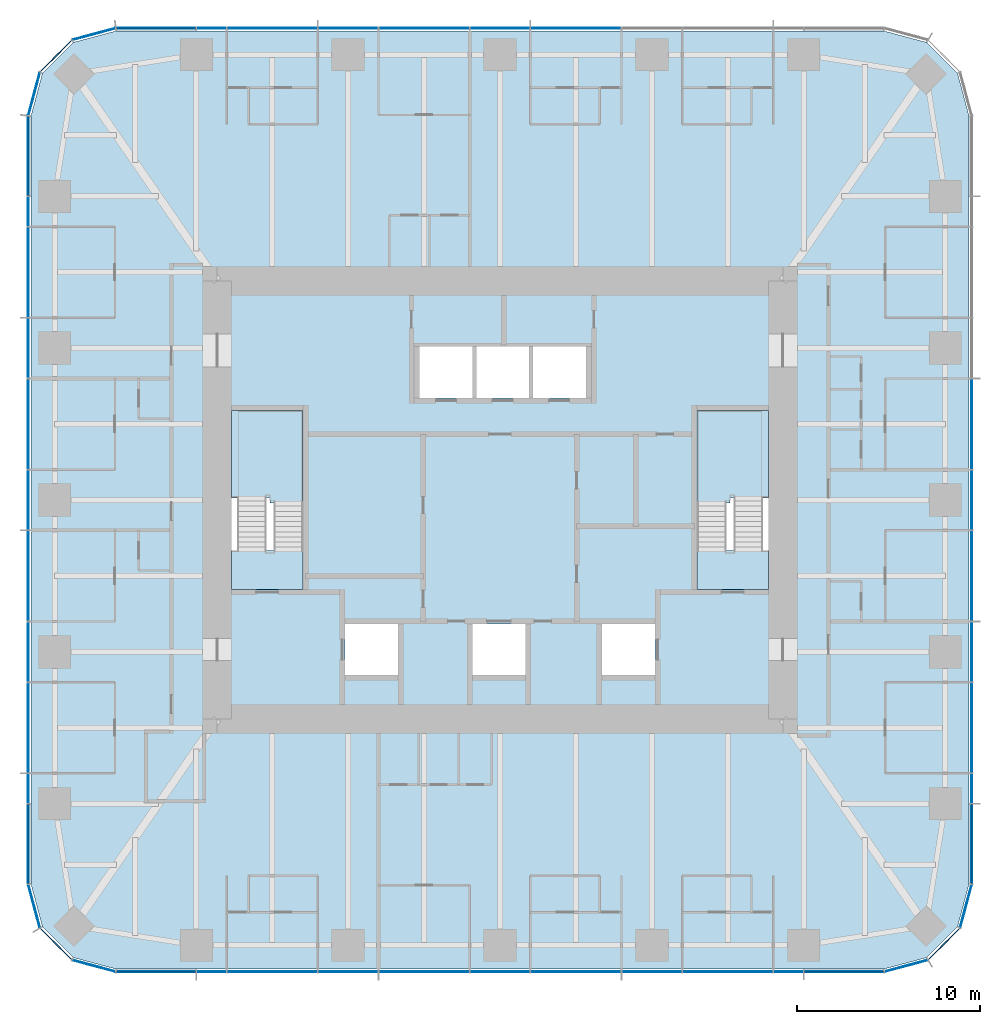
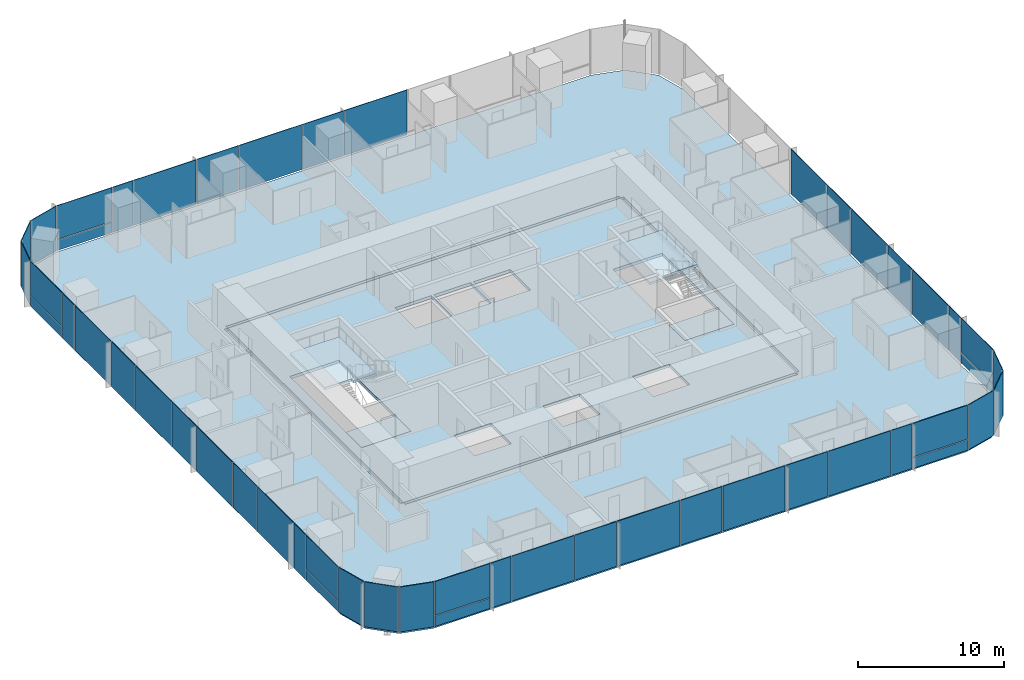
# One storey, part 7 of 13: 51 plates, 6 slabs, 9 elements without a shape of their own.
"""IFC4 building model written with IfcOpenShell, lengths in metres."""

from ifc_helpers import new_model, si_unit, direction, frame, origin, origin_2d, place, context, subcontext, project, spatial, polyline, rectangle, outline, extrude, material, layer, layer_set, type_object, element, aggregate, save


model = new_model("IFC4")

# Units and contexts
model_context = context("Model", 3, precision=1e-05, world=origin(), true_north=direction((0.0, 1.0)))
body_context = subcontext(model_context, "Body", "Model", "MODEL_VIEW")
ifc_project = project(units=[si_unit("LENGTHUNIT", "METRE"), si_unit("AREAUNIT", "SQUARE_METRE"), si_unit("VOLUMEUNIT", "CUBIC_METRE"), si_unit("PLANEANGLEUNIT", "RADIAN"), si_unit("MASSUNIT", "GRAM", prefix="KILO")], contexts=[model_context])

# Site, building, storey
site_placement = place(None, origin())
site = spatial("IfcSite", under=ifc_project, at=site_placement, CompositionType="ELEMENT")
building_placement = place(site_placement, origin())
building = spatial("IfcBuilding", under=site, at=building_placement, Name="Khuree Lantern Residences", CompositionType="ELEMENT")
storey_placement = place(building_placement, frame((0.0, 0.0, 259.5)))
storey = spatial("IfcBuildingStorey", under=building, at=storey_placement, Name="L65", CompositionType="ELEMENT", Elevation=259.5)

# Slab
ifc_material_1 = material(Name="Concrete C35/45", Category="concrete")
ifc_layer_1 = layer(ifc_material_1, 0.25)
ifc_layer_set_1 = layer_set([ifc_layer_1], Name="CFL250 CORE FLOOR SLAB 250")
slab_type_1 = type_object("IfcSlabType", Name="CFL250 CORE FLOOR SLAB 250", PredefinedType="FLOOR", material=ifc_layer_set_1)
slab_1_placement = place(storey_placement, frame((0.0, 0.0, -0.25)))
element("IfcSlab", 1, at=slab_1_placement, inside=storey, type_object=slab_type_1, Name="Core floor L65", PredefinedType="FLOOR", context=body_context, shape_type="SweptSolid", body=[
    extrude(outline(polyline([(-15.5, -12.0), (-15.5, 12.0), (15.5, 12.0), (15.5, -12.0), (-15.5, -12.0)]), holes=[polyline([(10.800048828125, 4.89990234375), (10.800048828125, -4.89990234375), (14.699951171875, -4.89990234375), (14.699951171875, 4.89990234375), (10.800048828125, 4.89990234375)]), polyline([(5.60009765625, -6.800048828125), (5.60009765625, -9.60009765625), (8.5, -9.60009765625), (8.5, -6.800048828125), (5.60009765625, -6.800048828125)]), polyline([(1.800048828125, 8.39990234375), (1.800048828125, 5.60009765625), (4.699951171875, 5.60009765625), (4.699951171875, 8.39990234375), (1.800048828125, 8.39990234375)]), polyline([(-1.300048828125, 8.39990234375), (-1.300048828125, 5.60009765625), (1.60009765625, 5.60009765625), (1.60009765625, 8.39990234375), (-1.300048828125, 8.39990234375)]), polyline([(-1.5, -6.800048828125), (-1.5, -9.60009765625), (1.39990234375, -9.60009765625), (1.39990234375, -6.800048828125), (-1.5, -6.800048828125)]), polyline([(-4.39990234375, 8.39990234375), (-4.39990234375, 5.60009765625), (-1.5, 5.60009765625), (-1.5, 8.39990234375), (-4.39990234375, 8.39990234375)]), polyline([(-8.5, -6.800048828125), (-8.5, -9.60009765625), (-5.60009765625, -9.60009765625), (-5.60009765625, -6.800048828125), (-8.5, -6.800048828125)]), polyline([(-14.699951171875, 4.89990234375), (-14.699951171875, -4.89990234375), (-10.800048828125, -4.89990234375), (-10.800048828125, 4.89990234375), (-14.699951171875, 4.89990234375)])]), origin(), (0.0, 0.0, 1.0), 0.25),
])

# Curtain wall, plates
ifc_material_2 = material(Name="Bronze anodised aluminium", Category="aluminium")
curtain_wall_type_1 = type_object("IfcCurtainWallType", Name="CW-T2 TOWER CORNER CURTAIN WALL", PredefinedType="USERDEFINED", material=ifc_material_2)
curtain_wall_1_placement = place(storey_placement, origin())
curtain_wall_1 = element("IfcCurtainWall", 2, at=curtain_wall_1_placement, inside=storey, type_object=curtain_wall_type_1, Name="L65 SOUTH-EAST CORNER CURTAIN WALL", ObjectType="Faceted corner curtain wall", PredefinedType="USERDEFINED")
ifc_material_3 = material(Name="Bronze tinted triple glazing", Category="glass")
ifc_layer_2 = layer(ifc_material_3, 0.048095703125)
ifc_layer_set_2 = layer_set([ifc_layer_2], Name="FACET PANEL P4")
plate_type_1 = type_object("IfcPlateType", Name="FACET PANEL P4", PredefinedType="CURTAIN_PANEL", material=ifc_layer_set_2)
plate_1_placement = place(storey_placement, frame((22.248046875, -25.529052734375, 0.0), z_axis=(0.0, 0.0, 1.0), x_axis=(0.965925832509, 0.258819021888, 0.0)))
plate_1 = element("IfcPlate", 3, at=plate_1_placement, type_object=plate_type_1, Name="L65 SOUTH-EAST CORNER PANEL 1.1", PredefinedType="CURTAIN_PANEL", context=body_context, shape_type="SweptSolid", body=[
    extrude(rectangle(XDim=2.40869140625, YDim=0.048095703125, at=origin_2d()), origin(), (0.0, 0.0, 1.0), 3.75),
])
plate_2_placement = place(storey_placement, frame((24.328369140625, -24.328369140625, 0.0), z_axis=(0.0, 0.0, 1.0), x_axis=(0.707106781187, 0.707106781187, 0.0)))
plate_2 = element("IfcPlate", 4, at=plate_2_placement, type_object=plate_type_1, Name="L65 SOUTH-EAST CORNER PANEL 2.1", PredefinedType="CURTAIN_PANEL", context=body_context, shape_type="SweptSolid", body=[
    extrude(rectangle(XDim=2.404541015625, YDim=0.048095703125, at=origin_2d()), origin(), (0.0, 0.0, 1.0), 3.75),
])
plate_3_placement = place(storey_placement, frame((25.529052734375, -22.248046875, 0.0), z_axis=(0.0, 0.0, 1.0), x_axis=(0.258819021888, 0.965925832509, 0.0)))
plate_3 = element("IfcPlate", 5, at=plate_3_placement, type_object=plate_type_1, Name="L65 SOUTH-EAST CORNER PANEL 3.1", PredefinedType="CURTAIN_PANEL", context=body_context, shape_type="SweptSolid", body=[
    extrude(rectangle(XDim=2.40869140625, YDim=0.048095703125, at=origin_2d()), origin(), (0.0, 0.0, 1.0), 3.75),
])
aggregate(curtain_wall_1, [plate_1, plate_2, plate_3])

curtain_wall_2_placement = place(storey_placement, origin())
curtain_wall_2 = element("IfcCurtainWall", 6, at=curtain_wall_2_placement, inside=storey, type_object=curtain_wall_type_1, Name="L65 NORTH-WEST CORNER CURTAIN WALL", ObjectType="Faceted corner curtain wall", PredefinedType="USERDEFINED")
plate_4_placement = place(storey_placement, frame((-22.248046875, 25.529052734375, 0.0), z_axis=(0.0, 0.0, 1.0), x_axis=(-0.965925832509, -0.258819021888, 0.0)))
plate_4 = element("IfcPlate", 7, at=plate_4_placement, type_object=plate_type_1, Name="L65 NORTH-WEST CORNER PANEL 29.1", PredefinedType="CURTAIN_PANEL", context=body_context, shape_type="SweptSolid", body=[
    extrude(rectangle(XDim=2.40869140625, YDim=0.048095703125, at=origin_2d()), origin(), (0.0, 0.0, 1.0), 3.75),
])
plate_5_placement = place(storey_placement, frame((-24.328369140625, 24.328369140625, 0.0), z_axis=(0.0, 0.0, 1.0), x_axis=(-0.707106781187, -0.707106781187, 0.0)))
plate_5 = element("IfcPlate", 8, at=plate_5_placement, type_object=plate_type_1, Name="L65 NORTH-WEST CORNER PANEL 30.1", PredefinedType="CURTAIN_PANEL", context=body_context, shape_type="SweptSolid", body=[
    extrude(rectangle(XDim=2.404541015625, YDim=0.048095703125, at=origin_2d()), origin(), (0.0, 0.0, 1.0), 3.75),
])
plate_6_placement = place(storey_placement, frame((-25.529052734375, 22.248046875, 0.0), z_axis=(0.0, 0.0, 1.0), x_axis=(-0.258819021888, -0.965925832509, 0.0)))
plate_6 = element("IfcPlate", 9, at=plate_6_placement, type_object=plate_type_1, Name="L65 NORTH-WEST CORNER PANEL 31.1", PredefinedType="CURTAIN_PANEL", context=body_context, shape_type="SweptSolid", body=[
    extrude(rectangle(XDim=2.40869140625, YDim=0.048095703125, at=origin_2d()), origin(), (0.0, 0.0, 1.0), 3.75),
])
aggregate(curtain_wall_2, [plate_4, plate_5, plate_6])

curtain_wall_3_placement = place(storey_placement, origin())
curtain_wall_3 = element("IfcCurtainWall", 10, at=curtain_wall_3_placement, inside=storey, type_object=curtain_wall_type_1, Name="L65 SOUTH-WEST CORNER CURTAIN WALL", ObjectType="Faceted corner curtain wall", PredefinedType="USERDEFINED")
plate_7_placement = place(storey_placement, frame((-25.529052734375, -22.248046875, 0.0), z_axis=(0.0, 0.0, 1.0), x_axis=(0.258819021888, -0.965925832509, 0.0)))
plate_7 = element("IfcPlate", 11, at=plate_7_placement, type_object=plate_type_1, Name="L65 SOUTH-WEST CORNER PANEL 43.1", PredefinedType="CURTAIN_PANEL", context=body_context, shape_type="SweptSolid", body=[
    extrude(rectangle(XDim=2.40869140625, YDim=0.048095703125, at=origin_2d()), origin(), (0.0, 0.0, 1.0), 3.75),
])
plate_8_placement = place(storey_placement, frame((-24.328369140625, -24.328369140625, 0.0), z_axis=(0.0, 0.0, 1.0), x_axis=(0.707106781187, -0.707106781187, 0.0)))
plate_8 = element("IfcPlate", 12, at=plate_8_placement, type_object=plate_type_1, Name="L65 SOUTH-WEST CORNER PANEL 44.1", PredefinedType="CURTAIN_PANEL", context=body_context, shape_type="SweptSolid", body=[
    extrude(rectangle(XDim=2.404541015625, YDim=0.048095703125, at=origin_2d()), origin(), (0.0, 0.0, 1.0), 3.75),
])
plate_9_placement = place(storey_placement, frame((-22.248046875, -25.529052734375, 0.0), z_axis=(0.0, 0.0, 1.0), x_axis=(0.965925832509, -0.258819021888, 0.0)))
plate_9 = element("IfcPlate", 13, at=plate_9_placement, type_object=plate_type_1, Name="L65 SOUTH-WEST CORNER PANEL 45.1", PredefinedType="CURTAIN_PANEL", context=body_context, shape_type="SweptSolid", body=[
    extrude(rectangle(XDim=2.40869140625, YDim=0.048095703125, at=origin_2d()), origin(), (0.0, 0.0, 1.0), 3.75),
])
aggregate(curtain_wall_3, [plate_7, plate_8, plate_9])

curtain_wall_type_2 = type_object("IfcCurtainWallType", Name="CW-T1 TOWER FACE CURTAIN WALL", PredefinedType="USERDEFINED", material=ifc_material_2)
curtain_wall_4_placement = place(storey_placement, origin())
curtain_wall_4 = element("IfcCurtainWall", 14, at=curtain_wall_4_placement, inside=storey, type_object=curtain_wall_type_2, Name="L65 EAST FACE CURTAIN WALL", ObjectType="Stick-built curtain wall", PredefinedType="USERDEFINED")
ifc_material_4 = material(Name="Bronze tinted triple glazing with a ceramic-fritted spandrel band", Category="glass")
ifc_layer_3 = layer(ifc_material_4, 0.048095703125)
ifc_layer_set_3 = layer_set([ifc_layer_3], Name="FIXED LIGHT PANEL P11")
plate_type_2 = type_object("IfcPlateType", Name="FIXED LIGHT PANEL P11", PredefinedType="CURTAIN_PANEL", material=ifc_layer_set_3)
plate_10_placement = place(storey_placement, frame((25.85009765625, -12.47998046875, 0.0), z_axis=(0.0, 0.0, 1.0), x_axis=(0.0, 1.0, 0.0)))
plate_10 = element("IfcPlate", 15, at=plate_10_placement, type_object=plate_type_2, Name="L65 EAST FACE PANEL 6.1", PredefinedType="CURTAIN_PANEL", context=body_context, shape_type="SweptSolid", body=[
    extrude(rectangle(XDim=4.927001953125, YDim=0.048095703125, at=origin_2d()), origin(), (0.0, 0.0, 1.0), 3.75),
])
plate_11_placement = place(storey_placement, frame((25.85009765625, -4.159912109375, 0.0), z_axis=(0.0, 0.0, 1.0), x_axis=(0.0, 1.0, 0.0)))
plate_11 = element("IfcPlate", 16, at=plate_11_placement, type_object=plate_type_2, Name="L65 EAST FACE PANEL 8.1", PredefinedType="CURTAIN_PANEL", context=body_context, shape_type="SweptSolid", body=[
    extrude(rectangle(XDim=4.927001953125, YDim=0.048095703125, at=origin_2d()), origin(), (0.0, 0.0, 1.0), 3.75),
])
plate_12_placement = place(storey_placement, frame((25.85009765625, 4.159912109375, 0.0), z_axis=(0.0, 0.0, 1.0), x_axis=(0.0, 1.0, 0.0)))
plate_12 = element("IfcPlate", 17, at=plate_12_placement, type_object=plate_type_2, Name="L65 EAST FACE PANEL 10.1", PredefinedType="CURTAIN_PANEL", context=body_context, shape_type="SweptSolid", body=[
    extrude(rectangle(XDim=4.927001953125, YDim=0.048095703125, at=origin_2d()), origin(), (0.0, 0.0, 1.0), 3.75),
])

curtain_wall_5_placement = place(storey_placement, origin())
curtain_wall_5 = element("IfcCurtainWall", 18, at=curtain_wall_5_placement, inside=storey, type_object=curtain_wall_type_2, Name="L65 NORTH FACE CURTAIN WALL", ObjectType="Stick-built curtain wall", PredefinedType="USERDEFINED")
plate_13_placement = place(storey_placement, frame((4.159912109375, 25.85009765625, 0.0), z_axis=(0.0, 0.0, 1.0), x_axis=(-1.0, 0.0, 0.0)))
plate_13 = element("IfcPlate", 19, at=plate_13_placement, type_object=plate_type_2, Name="L65 NORTH FACE PANEL 22.1", PredefinedType="CURTAIN_PANEL", context=body_context, shape_type="SweptSolid", body=[
    extrude(rectangle(XDim=4.927001953125, YDim=0.048095703125, at=origin_2d()), origin(), (0.0, 0.0, 1.0), 3.75),
])
plate_14_placement = place(storey_placement, frame((-4.159912109375, 25.85009765625, 0.0), z_axis=(0.0, 0.0, 1.0), x_axis=(-1.0, 0.0, 0.0)))
plate_14 = element("IfcPlate", 20, at=plate_14_placement, type_object=plate_type_2, Name="L65 NORTH FACE PANEL 24.1", PredefinedType="CURTAIN_PANEL", context=body_context, shape_type="SweptSolid", body=[
    extrude(rectangle(XDim=4.927001953125, YDim=0.048095703125, at=origin_2d()), origin(), (0.0, 0.0, 1.0), 3.75),
])
plate_15_placement = place(storey_placement, frame((-12.47998046875, 25.85009765625, 0.0), z_axis=(0.0, 0.0, 1.0), x_axis=(-1.0, 0.0, 0.0)))
plate_15 = element("IfcPlate", 21, at=plate_15_placement, type_object=plate_type_2, Name="L65 NORTH FACE PANEL 26.1", PredefinedType="CURTAIN_PANEL", context=body_context, shape_type="SweptSolid", body=[
    extrude(rectangle(XDim=4.927001953125, YDim=0.048095703125, at=origin_2d()), origin(), (0.0, 0.0, 1.0), 3.75),
])

curtain_wall_6_placement = place(storey_placement, origin())
curtain_wall_6 = element("IfcCurtainWall", 22, at=curtain_wall_6_placement, inside=storey, type_object=curtain_wall_type_2, Name="L65 WEST FACE CURTAIN WALL", ObjectType="Stick-built curtain wall", PredefinedType="USERDEFINED")
plate_16_placement = place(storey_placement, frame((-25.85009765625, 12.47998046875, 0.0), z_axis=(0.0, 0.0, 1.0), x_axis=(0.0, -1.0, 0.0)))
plate_16 = element("IfcPlate", 23, at=plate_16_placement, type_object=plate_type_2, Name="L65 WEST FACE PANEL 34.1", PredefinedType="CURTAIN_PANEL", context=body_context, shape_type="SweptSolid", body=[
    extrude(rectangle(XDim=4.927001953125, YDim=0.048095703125, at=origin_2d()), origin(), (0.0, 0.0, 1.0), 3.75),
])
plate_17_placement = place(storey_placement, frame((-25.85009765625, 4.159912109375, 0.0), z_axis=(0.0, 0.0, 1.0), x_axis=(0.0, -1.0, 0.0)))
plate_17 = element("IfcPlate", 24, at=plate_17_placement, type_object=plate_type_2, Name="L65 WEST FACE PANEL 36.1", PredefinedType="CURTAIN_PANEL", context=body_context, shape_type="SweptSolid", body=[
    extrude(rectangle(XDim=4.927001953125, YDim=0.048095703125, at=origin_2d()), origin(), (0.0, 0.0, 1.0), 3.75),
])
plate_18_placement = place(storey_placement, frame((-25.85009765625, -4.159912109375, 0.0), z_axis=(0.0, 0.0, 1.0), x_axis=(0.0, -1.0, 0.0)))
plate_18 = element("IfcPlate", 25, at=plate_18_placement, type_object=plate_type_2, Name="L65 WEST FACE PANEL 38.1", PredefinedType="CURTAIN_PANEL", context=body_context, shape_type="SweptSolid", body=[
    extrude(rectangle(XDim=4.927001953125, YDim=0.048095703125, at=origin_2d()), origin(), (0.0, 0.0, 1.0), 3.75),
])
plate_19_placement = place(storey_placement, frame((-25.85009765625, -12.47998046875, 0.0), z_axis=(0.0, 0.0, 1.0), x_axis=(0.0, -1.0, 0.0)))
plate_19 = element("IfcPlate", 26, at=plate_19_placement, type_object=plate_type_2, Name="L65 WEST FACE PANEL 40.1", PredefinedType="CURTAIN_PANEL", context=body_context, shape_type="SweptSolid", body=[
    extrude(rectangle(XDim=4.927001953125, YDim=0.048095703125, at=origin_2d()), origin(), (0.0, 0.0, 1.0), 3.75),
])

curtain_wall_7_placement = place(storey_placement, origin())
curtain_wall_7 = element("IfcCurtainWall", 27, at=curtain_wall_7_placement, inside=storey, type_object=curtain_wall_type_2, Name="L65 SOUTH FACE CURTAIN WALL", ObjectType="Stick-built curtain wall", PredefinedType="USERDEFINED")
plate_20_placement = place(storey_placement, frame((-12.47998046875, -25.85009765625, 0.0), z_axis=(0.0, 0.0, 1.0), x_axis=(1.0, 0.0, 0.0)))
plate_20 = element("IfcPlate", 28, at=plate_20_placement, type_object=plate_type_2, Name="L65 SOUTH FACE PANEL 48.1", PredefinedType="CURTAIN_PANEL", context=body_context, shape_type="SweptSolid", body=[
    extrude(rectangle(XDim=4.927001953125, YDim=0.048095703125, at=origin_2d()), origin(), (0.0, 0.0, 1.0), 3.75),
])
plate_21_placement = place(storey_placement, frame((-4.159912109375, -25.85009765625, 0.0), z_axis=(0.0, 0.0, 1.0), x_axis=(1.0, 0.0, 0.0)))
plate_21 = element("IfcPlate", 29, at=plate_21_placement, type_object=plate_type_2, Name="L65 SOUTH FACE PANEL 50.1", PredefinedType="CURTAIN_PANEL", context=body_context, shape_type="SweptSolid", body=[
    extrude(rectangle(XDim=4.927001953125, YDim=0.048095703125, at=origin_2d()), origin(), (0.0, 0.0, 1.0), 3.75),
])
plate_22_placement = place(storey_placement, frame((4.159912109375, -25.85009765625, 0.0), z_axis=(0.0, 0.0, 1.0), x_axis=(1.0, 0.0, 0.0)))
plate_22 = element("IfcPlate", 30, at=plate_22_placement, type_object=plate_type_2, Name="L65 SOUTH FACE PANEL 52.1", PredefinedType="CURTAIN_PANEL", context=body_context, shape_type="SweptSolid", body=[
    extrude(rectangle(XDim=4.927001953125, YDim=0.048095703125, at=origin_2d()), origin(), (0.0, 0.0, 1.0), 3.75),
])
plate_23_placement = place(storey_placement, frame((12.47998046875, -25.85009765625, 0.0), z_axis=(0.0, 0.0, 1.0), x_axis=(1.0, 0.0, 0.0)))
plate_23 = element("IfcPlate", 31, at=plate_23_placement, type_object=plate_type_2, Name="L65 SOUTH FACE PANEL 54.1", PredefinedType="CURTAIN_PANEL", context=body_context, shape_type="SweptSolid", body=[
    extrude(rectangle(XDim=4.927001953125, YDim=0.048095703125, at=origin_2d()), origin(), (0.0, 0.0, 1.0), 3.75),
])

# Slab
ifc_layer_4 = layer(ifc_material_1, 0.25)
ifc_layer_set_4 = layer_set([ifc_layer_4], Name="FS250 FLOOR SLAB 250")
slab_type_2 = type_object("IfcSlabType", Name="FS250 FLOOR SLAB 250", PredefinedType="FLOOR", material=ifc_layer_set_4)
slab_2_placement = place(storey_placement, frame((0.0, 0.0, -0.25)))
element("IfcSlab", 32, at=slab_2_placement, inside=storey, type_object=slab_type_2, Name="Floor slab L65", PredefinedType="FLOOR", context=body_context, shape_type="SweptSolid", body=[
    extrude(outline(polyline([(-23.375, -25.076904296875), (-25.076904296875, -23.375), (-25.699951171875, -21.050048828125), (-25.699951171875, 21.050048828125), (-25.076904296875, 23.375), (-23.375, 25.076904296875), (-21.050048828125, 25.699951171875), (21.050048828125, 25.699951171875), (23.375, 25.076904296875), (25.076904296875, 23.375), (25.699951171875, 21.050048828125), (25.699951171875, -21.050048828125), (25.076904296875, -23.375), (23.375, -25.076904296875), (21.050048828125, -25.699951171875), (-21.050048828125, -25.699951171875), (-23.375, -25.076904296875)]), holes=[polyline([(15.75, 12.0), (15.5, 12.0), (15.5, 12.25), (-15.5, 12.25), (-15.5, 12.0), (-15.75, 12.0), (-15.75, -12.0), (-15.5, -12.0), (-15.5, -12.25), (15.5, -12.25), (15.5, -12.0), (15.75, -12.0), (15.75, 12.0)])]), origin(), (0.0, 0.0, 1.0), 0.25),
])

# Plate
ifc_material_5 = material(Name="Bronze tinted triple glazing, two aluminium-framed sashes in one frame", Category="aluminium")
ifc_layer_5 = layer(ifc_material_5, 0.048095703125)
ifc_layer_set_5 = layer_set([ifc_layer_5], Name="SASH PAIR PANEL P12")
plate_type_3 = type_object("IfcPlateType", Name="SASH PAIR PANEL P12", PredefinedType="CURTAIN_PANEL", material=ifc_layer_set_5)
plate_24_placement = place(storey_placement, frame((25.85009765625, -8.320068359375, 0.0), z_axis=(0.0, 0.0, 1.0), x_axis=(0.0, 1.0, 0.0)))
plate_24 = element("IfcPlate", 33, at=plate_24_placement, type_object=plate_type_3, Name="L65 EAST FACE PANEL 7.1", PredefinedType="CURTAIN_PANEL", context=body_context, shape_type="SweptSolid", body=[
    extrude(rectangle(XDim=3.262939453125, YDim=0.048095703125, at=origin_2d()), origin(), (0.0, 0.0, 1.0), 3.75),
])

plate_25_placement = place(storey_placement, frame((25.85009765625, 0.0, 0.0), z_axis=(0.0, 0.0, 1.0), x_axis=(0.0, 1.0, 0.0)))
plate_25 = element("IfcPlate", 34, at=plate_25_placement, type_object=plate_type_3, Name="L65 EAST FACE PANEL 9.1", PredefinedType="CURTAIN_PANEL", context=body_context, shape_type="SweptSolid", body=[
    extrude(rectangle(XDim=3.262939453125, YDim=0.048095703125, at=origin_2d()), origin(), (0.0, 0.0, 1.0), 3.75),
])

plate_26_placement = place(storey_placement, frame((0.0, 25.85009765625, 0.0), z_axis=(0.0, 0.0, 1.0), x_axis=(-1.0, 0.0, 0.0)))
plate_26 = element("IfcPlate", 35, at=plate_26_placement, type_object=plate_type_3, Name="L65 NORTH FACE PANEL 23.1", PredefinedType="CURTAIN_PANEL", context=body_context, shape_type="SweptSolid", body=[
    extrude(rectangle(XDim=3.262939453125, YDim=0.048095703125, at=origin_2d()), origin(), (0.0, 0.0, 1.0), 3.75),
])

plate_27_placement = place(storey_placement, frame((-8.320068359375, 25.85009765625, 0.0), z_axis=(0.0, 0.0, 1.0), x_axis=(-1.0, 0.0, 0.0)))
plate_27 = element("IfcPlate", 36, at=plate_27_placement, type_object=plate_type_3, Name="L65 NORTH FACE PANEL 25.1", PredefinedType="CURTAIN_PANEL", context=body_context, shape_type="SweptSolid", body=[
    extrude(rectangle(XDim=3.262939453125, YDim=0.048095703125, at=origin_2d()), origin(), (0.0, 0.0, 1.0), 3.75),
])

plate_28_placement = place(storey_placement, frame((-25.85009765625, 8.320068359375, 0.0), z_axis=(0.0, 0.0, 1.0), x_axis=(0.0, -1.0, 0.0)))
plate_28 = element("IfcPlate", 37, at=plate_28_placement, type_object=plate_type_3, Name="L65 WEST FACE PANEL 35.1", PredefinedType="CURTAIN_PANEL", context=body_context, shape_type="SweptSolid", body=[
    extrude(rectangle(XDim=3.262939453125, YDim=0.048095703125, at=origin_2d()), origin(), (0.0, 0.0, 1.0), 3.75),
])

plate_29_placement = place(storey_placement, frame((-25.85009765625, 0.0, 0.0), z_axis=(0.0, 0.0, 1.0), x_axis=(0.0, -1.0, 0.0)))
plate_29 = element("IfcPlate", 38, at=plate_29_placement, type_object=plate_type_3, Name="L65 WEST FACE PANEL 37.1", PredefinedType="CURTAIN_PANEL", context=body_context, shape_type="SweptSolid", body=[
    extrude(rectangle(XDim=3.262939453125, YDim=0.048095703125, at=origin_2d()), origin(), (0.0, 0.0, 1.0), 3.75),
])

plate_30_placement = place(storey_placement, frame((-25.85009765625, -8.320068359375, 0.0), z_axis=(0.0, 0.0, 1.0), x_axis=(0.0, -1.0, 0.0)))
plate_30 = element("IfcPlate", 39, at=plate_30_placement, type_object=plate_type_3, Name="L65 WEST FACE PANEL 39.1", PredefinedType="CURTAIN_PANEL", context=body_context, shape_type="SweptSolid", body=[
    extrude(rectangle(XDim=3.262939453125, YDim=0.048095703125, at=origin_2d()), origin(), (0.0, 0.0, 1.0), 3.75),
])

plate_31_placement = place(storey_placement, frame((-8.320068359375, -25.85009765625, 0.0), z_axis=(0.0, 0.0, 1.0), x_axis=(1.0, 0.0, 0.0)))
plate_31 = element("IfcPlate", 40, at=plate_31_placement, type_object=plate_type_3, Name="L65 SOUTH FACE PANEL 49.1", PredefinedType="CURTAIN_PANEL", context=body_context, shape_type="SweptSolid", body=[
    extrude(rectangle(XDim=3.262939453125, YDim=0.048095703125, at=origin_2d()), origin(), (0.0, 0.0, 1.0), 3.75),
])

plate_32_placement = place(storey_placement, frame((0.0, -25.85009765625, 0.0), z_axis=(0.0, 0.0, 1.0), x_axis=(1.0, 0.0, 0.0)))
plate_32 = element("IfcPlate", 41, at=plate_32_placement, type_object=plate_type_3, Name="L65 SOUTH FACE PANEL 51.1", PredefinedType="CURTAIN_PANEL", context=body_context, shape_type="SweptSolid", body=[
    extrude(rectangle(XDim=3.262939453125, YDim=0.048095703125, at=origin_2d()), origin(), (0.0, 0.0, 1.0), 3.75),
])

plate_33_placement = place(storey_placement, frame((8.320068359375, -25.85009765625, 0.0), z_axis=(0.0, 0.0, 1.0), x_axis=(1.0, 0.0, 0.0)))
plate_33 = element("IfcPlate", 42, at=plate_33_placement, type_object=plate_type_3, Name="L65 SOUTH FACE PANEL 53.1", PredefinedType="CURTAIN_PANEL", context=body_context, shape_type="SweptSolid", body=[
    extrude(rectangle(XDim=3.262939453125, YDim=0.048095703125, at=origin_2d()), origin(), (0.0, 0.0, 1.0), 3.75),
])

ifc_material_6 = material(Name="Bronze tinted triple glazing, aluminium-framed sash", Category="aluminium")
ifc_layer_6 = layer(ifc_material_6, 0.048095703125)
ifc_layer_set_6 = layer_set([ifc_layer_6], Name="SASH PANEL P3")
plate_type_4 = type_object("IfcPlateType", Name="SASH PANEL P3", PredefinedType="CURTAIN_PANEL", material=ifc_layer_set_6)
plate_34_placement = place(storey_placement, frame((25.85009765625, -15.80810546875, 0.0), z_axis=(0.0, 0.0, 1.0), x_axis=(0.0, 1.0, 0.0)))
plate_34 = element("IfcPlate", 43, at=plate_34_placement, type_object=plate_type_4, Name="L65 EAST FACE PANEL 5.1", PredefinedType="CURTAIN_PANEL", context=body_context, shape_type="SweptSolid", body=[
    extrude(rectangle(XDim=1.59912109375, YDim=0.048095703125, at=origin_2d()), origin(), (0.0, 0.0, 1.0), 3.75),
])

plate_35_placement = place(storey_placement, frame((-15.80810546875, 25.85009765625, 0.0), z_axis=(0.0, 0.0, 1.0), x_axis=(-1.0, 0.0, 0.0)))
plate_35 = element("IfcPlate", 44, at=plate_35_placement, type_object=plate_type_4, Name="L65 NORTH FACE PANEL 27.1", PredefinedType="CURTAIN_PANEL", context=body_context, shape_type="SweptSolid", body=[
    extrude(rectangle(XDim=1.59912109375, YDim=0.048095703125, at=origin_2d()), origin(), (0.0, 0.0, 1.0), 3.75),
])

plate_36_placement = place(storey_placement, frame((-25.85009765625, 15.80810546875, 0.0), z_axis=(0.0, 0.0, 1.0), x_axis=(0.0, -1.0, 0.0)))
plate_36 = element("IfcPlate", 45, at=plate_36_placement, type_object=plate_type_4, Name="L65 WEST FACE PANEL 33.1", PredefinedType="CURTAIN_PANEL", context=body_context, shape_type="SweptSolid", body=[
    extrude(rectangle(XDim=1.59912109375, YDim=0.048095703125, at=origin_2d()), origin(), (0.0, 0.0, 1.0), 3.75),
])

plate_37_placement = place(storey_placement, frame((-25.85009765625, -15.80810546875, 0.0), z_axis=(0.0, 0.0, 1.0), x_axis=(0.0, -1.0, 0.0)))
plate_37 = element("IfcPlate", 46, at=plate_37_placement, type_object=plate_type_4, Name="L65 WEST FACE PANEL 41.1", PredefinedType="CURTAIN_PANEL", context=body_context, shape_type="SweptSolid", body=[
    extrude(rectangle(XDim=1.59912109375, YDim=0.048095703125, at=origin_2d()), origin(), (0.0, 0.0, 1.0), 3.75),
])

plate_38_placement = place(storey_placement, frame((-15.80810546875, -25.85009765625, 0.0), z_axis=(0.0, 0.0, 1.0), x_axis=(1.0, 0.0, 0.0)))
plate_38 = element("IfcPlate", 47, at=plate_38_placement, type_object=plate_type_4, Name="L65 SOUTH FACE PANEL 47.1", PredefinedType="CURTAIN_PANEL", context=body_context, shape_type="SweptSolid", body=[
    extrude(rectangle(XDim=1.59912109375, YDim=0.048095703125, at=origin_2d()), origin(), (0.0, 0.0, 1.0), 3.75),
])

plate_39_placement = place(storey_placement, frame((15.80810546875, -25.85009765625, 0.0), z_axis=(0.0, 0.0, 1.0), x_axis=(1.0, 0.0, 0.0)))
plate_39 = element("IfcPlate", 48, at=plate_39_placement, type_object=plate_type_4, Name="L65 SOUTH FACE PANEL 55.1", PredefinedType="CURTAIN_PANEL", context=body_context, shape_type="SweptSolid", body=[
    extrude(rectangle(XDim=1.59912109375, YDim=0.048095703125, at=origin_2d()), origin(), (0.0, 0.0, 1.0), 3.75),
])

ifc_material_7 = material(Name="Bronze anodised aluminium insulated spandrel", Category="aluminium")
ifc_layer_7 = layer(ifc_material_7, 0.06005859375)
ifc_layer_set_7 = layer_set([ifc_layer_7], Name="SPANDREL PANEL P2")
plate_type_5 = type_object("IfcPlateType", Name="SPANDREL PANEL P2", PredefinedType="CURTAIN_PANEL", material=ifc_layer_set_7)
plate_40_placement = place(storey_placement, frame((25.85009765625, -18.8427734375, 0.0), z_axis=(0.0, 0.0, 1.0), x_axis=(0.0, 1.0, 0.0)))
plate_40 = element("IfcPlate", 49, at=plate_40_placement, type_object=plate_type_5, Name="L65 EAST FACE PANEL 4.1", PredefinedType="CURTAIN_PANEL", context=body_context, shape_type="SweptSolid", body=[
    extrude(rectangle(XDim=4.3408203125, YDim=0.06005859375, at=origin_2d()), origin(), (0.0, 0.0, 1.0), 0.867431640625),
])

plate_41_placement = place(storey_placement, frame((-18.8427734375, 25.85009765625, 0.0), z_axis=(0.0, 0.0, 1.0), x_axis=(-1.0, 0.0, 0.0)))
plate_41 = element("IfcPlate", 50, at=plate_41_placement, type_object=plate_type_5, Name="L65 NORTH FACE PANEL 28.1", PredefinedType="CURTAIN_PANEL", context=body_context, shape_type="SweptSolid", body=[
    extrude(rectangle(XDim=4.3408203125, YDim=0.06005859375, at=origin_2d()), origin(), (0.0, 0.0, 1.0), 0.867431640625),
])

plate_42_placement = place(storey_placement, frame((-25.85009765625, 18.8427734375, 0.0), z_axis=(0.0, 0.0, 1.0), x_axis=(0.0, -1.0, 0.0)))
plate_42 = element("IfcPlate", 51, at=plate_42_placement, type_object=plate_type_5, Name="L65 WEST FACE PANEL 32.1", PredefinedType="CURTAIN_PANEL", context=body_context, shape_type="SweptSolid", body=[
    extrude(rectangle(XDim=4.3408203125, YDim=0.06005859375, at=origin_2d()), origin(), (0.0, 0.0, 1.0), 0.867431640625),
])

plate_43_placement = place(storey_placement, frame((-25.85009765625, -18.8427734375, 0.0), z_axis=(0.0, 0.0, 1.0), x_axis=(0.0, -1.0, 0.0)))
plate_43 = element("IfcPlate", 52, at=plate_43_placement, type_object=plate_type_5, Name="L65 WEST FACE PANEL 42.1", PredefinedType="CURTAIN_PANEL", context=body_context, shape_type="SweptSolid", body=[
    extrude(rectangle(XDim=4.3408203125, YDim=0.06005859375, at=origin_2d()), origin(), (0.0, 0.0, 1.0), 0.867431640625),
])

plate_44_placement = place(storey_placement, frame((-18.8427734375, -25.85009765625, 0.0), z_axis=(0.0, 0.0, 1.0), x_axis=(1.0, 0.0, 0.0)))
plate_44 = element("IfcPlate", 53, at=plate_44_placement, type_object=plate_type_5, Name="L65 SOUTH FACE PANEL 46.1", PredefinedType="CURTAIN_PANEL", context=body_context, shape_type="SweptSolid", body=[
    extrude(rectangle(XDim=4.3408203125, YDim=0.06005859375, at=origin_2d()), origin(), (0.0, 0.0, 1.0), 0.867431640625),
])

plate_45_placement = place(storey_placement, frame((18.8427734375, -25.85009765625, 0.0), z_axis=(0.0, 0.0, 1.0), x_axis=(1.0, 0.0, 0.0)))
plate_45 = element("IfcPlate", 54, at=plate_45_placement, type_object=plate_type_5, Name="L65 SOUTH FACE PANEL 56.1", PredefinedType="CURTAIN_PANEL", context=body_context, shape_type="SweptSolid", body=[
    extrude(rectangle(XDim=4.3408203125, YDim=0.06005859375, at=origin_2d()), origin(), (0.0, 0.0, 1.0), 0.867431640625),
])

# Stair, slabs
ifc_material_8 = material(Name="Concrete C40/50", Category="concrete")
stair_type = type_object("IfcStairType", Name="STAIR ST1 HALF TURN 3600", PredefinedType="HALF_TURN_STAIR", material=ifc_material_8)
stair_1_placement = place(storey_placement, origin())
stair_1 = element("IfcStair", 55, at=stair_1_placement, inside=storey, type_object=stair_type, Name="Stair ST1", PredefinedType="HALF_TURN_STAIR")
ifc_layer_8 = layer(ifc_material_8, 0.199951171875)
ifc_layer_set_8 = layer_set([ifc_layer_8], Name="STAIR LANDING SL1 200")
slab_type_3 = type_object("IfcSlabType", Name="STAIR LANDING SL1 200", PredefinedType="LANDING", material=ifc_layer_set_8)
slab_3_placement = place(storey_placement, frame((0.0, 0.0, -0.199951171875)))
slab_3 = element("IfcSlab", 56, at=slab_3_placement, type_object=slab_type_3, Name="ST1 landing 1", PredefinedType="LANDING", context=body_context, shape_type="SweptSolid", body=[
    extrude(outline(polyline([(-14.699951171875, -4.89990234375), (-10.800048828125, -4.89990234375), (-10.800048828125, -2.760009765625), (-14.699951171875, -2.760009765625), (-14.699951171875, -4.89990234375)])), origin(), (0.0, 0.0, 1.0), 0.199951171875),
])
slab_4_placement = place(storey_placement, frame((0.0, 0.0, 1.756591796875)))
slab_4 = element("IfcSlab", 57, at=slab_4_placement, type_object=slab_type_3, Name="ST1 landing 2", PredefinedType="LANDING", context=body_context, shape_type="SweptSolid", body=[
    extrude(outline(polyline([(-14.699951171875, 0.1201171875), (-14.699951171875, 4.89990234375), (-10.800048828125, 4.89990234375), (-10.800048828125, -0.159912109375), (-12.60009765625, -0.159912109375), (-12.60009765625, 0.1201171875), (-14.699951171875, 0.1201171875)])), origin(), (0.0, 0.0, 1.0), 0.199951171875),
])
aggregate(stair_1, [slab_3, slab_4])

stair_2_placement = place(storey_placement, origin())
stair_2 = element("IfcStair", 58, at=stair_2_placement, inside=storey, type_object=stair_type, Name="Stair ST2", PredefinedType="HALF_TURN_STAIR")
slab_5_placement = place(storey_placement, frame((0.0, 0.0, -0.199951171875)))
slab_5 = element("IfcSlab", 59, at=slab_5_placement, type_object=slab_type_3, Name="ST2 landing 1", PredefinedType="LANDING", context=body_context, shape_type="SweptSolid", body=[
    extrude(outline(polyline([(10.800048828125, -4.89990234375), (14.699951171875, -4.89990234375), (14.699951171875, -2.760009765625), (10.800048828125, -2.760009765625), (10.800048828125, -4.89990234375)])), origin(), (0.0, 0.0, 1.0), 0.199951171875),
])
slab_6_placement = place(storey_placement, frame((0.0, 0.0, 1.756591796875)))
slab_6 = element("IfcSlab", 60, at=slab_6_placement, type_object=slab_type_3, Name="ST2 landing 2", PredefinedType="LANDING", context=body_context, shape_type="SweptSolid", body=[
    extrude(outline(polyline([(14.699951171875, 4.89990234375), (14.699951171875, 0.1201171875), (12.60009765625, 0.1201171875), (12.60009765625, -0.159912109375), (10.800048828125, -0.159912109375), (10.800048828125, 4.89990234375), (14.699951171875, 4.89990234375)])), origin(), (0.0, 0.0, 1.0), 0.199951171875),
])
aggregate(stair_2, [slab_5, slab_6])

# Plate
ifc_layer_9 = layer(ifc_material_3, 0.048095703125)
ifc_layer_set_9 = layer_set([ifc_layer_9], Name="VISION PANEL P1")
plate_type_6 = type_object("IfcPlateType", Name="VISION PANEL P1", PredefinedType="CURTAIN_PANEL", material=ifc_layer_set_9)
plate_46_placement = place(storey_placement, frame((25.85009765625, -18.84326171875, 0.9326171875), z_axis=(0.0, 0.0, 1.0), x_axis=(0.0, 1.0, 0.0)))
plate_46 = element("IfcPlate", 61, at=plate_46_placement, type_object=plate_type_6, Name="L65 EAST FACE PANEL 4.2", PredefinedType="CURTAIN_PANEL", context=body_context, shape_type="SweptSolid", body=[
    extrude(rectangle(XDim=4.341552734375, YDim=0.048095703125, at=origin_2d()), origin(), (0.0, 0.0, 1.0), 2.8173828125),
])

aggregate(curtain_wall_4, [plate_40, plate_46, plate_34, plate_10, plate_24, plate_11, plate_25, plate_12])

plate_47_placement = place(storey_placement, frame((-18.84326171875, 25.85009765625, 0.9326171875), z_axis=(0.0, 0.0, 1.0), x_axis=(-1.0, 0.0, 0.0)))
plate_47 = element("IfcPlate", 62, at=plate_47_placement, type_object=plate_type_6, Name="L65 NORTH FACE PANEL 28.2", PredefinedType="CURTAIN_PANEL", context=body_context, shape_type="SweptSolid", body=[
    extrude(rectangle(XDim=4.341552734375, YDim=0.048095703125, at=origin_2d()), origin(), (0.0, 0.0, 1.0), 2.8173828125),
])

aggregate(curtain_wall_5, [plate_13, plate_26, plate_14, plate_27, plate_15, plate_35, plate_41, plate_47])

plate_48_placement = place(storey_placement, frame((-25.85009765625, 18.84326171875, 0.9326171875), z_axis=(0.0, 0.0, 1.0), x_axis=(0.0, -1.0, 0.0)))
plate_48 = element("IfcPlate", 63, at=plate_48_placement, type_object=plate_type_6, Name="L65 WEST FACE PANEL 32.2", PredefinedType="CURTAIN_PANEL", context=body_context, shape_type="SweptSolid", body=[
    extrude(rectangle(XDim=4.341552734375, YDim=0.048095703125, at=origin_2d()), origin(), (0.0, 0.0, 1.0), 2.8173828125),
])

plate_49_placement = place(storey_placement, frame((-25.85009765625, -18.84326171875, 0.9326171875), z_axis=(0.0, 0.0, 1.0), x_axis=(0.0, -1.0, 0.0)))
plate_49 = element("IfcPlate", 64, at=plate_49_placement, type_object=plate_type_6, Name="L65 WEST FACE PANEL 42.2", PredefinedType="CURTAIN_PANEL", context=body_context, shape_type="SweptSolid", body=[
    extrude(rectangle(XDim=4.341552734375, YDim=0.048095703125, at=origin_2d()), origin(), (0.0, 0.0, 1.0), 2.8173828125),
])

aggregate(curtain_wall_6, [plate_42, plate_48, plate_36, plate_16, plate_28, plate_17, plate_29, plate_18, plate_30, plate_19, plate_37, plate_43, plate_49])

plate_50_placement = place(storey_placement, frame((-18.84326171875, -25.85009765625, 0.9326171875), z_axis=(0.0, 0.0, 1.0), x_axis=(1.0, 0.0, 0.0)))
plate_50 = element("IfcPlate", 65, at=plate_50_placement, type_object=plate_type_6, Name="L65 SOUTH FACE PANEL 46.2", PredefinedType="CURTAIN_PANEL", context=body_context, shape_type="SweptSolid", body=[
    extrude(rectangle(XDim=4.341552734375, YDim=0.048095703125, at=origin_2d()), origin(), (0.0, 0.0, 1.0), 2.8173828125),
])

plate_51_placement = place(storey_placement, frame((18.84326171875, -25.85009765625, 0.9326171875), z_axis=(0.0, 0.0, 1.0), x_axis=(1.0, 0.0, 0.0)))
plate_51 = element("IfcPlate", 66, at=plate_51_placement, type_object=plate_type_6, Name="L65 SOUTH FACE PANEL 56.2", PredefinedType="CURTAIN_PANEL", context=body_context, shape_type="SweptSolid", body=[
    extrude(rectangle(XDim=4.341552734375, YDim=0.048095703125, at=origin_2d()), origin(), (0.0, 0.0, 1.0), 2.8173828125),
])

aggregate(curtain_wall_7, [plate_44, plate_50, plate_38, plate_20, plate_31, plate_21, plate_32, plate_22, plate_33, plate_23, plate_39, plate_45, plate_51])

save(model, "model.ifc")
